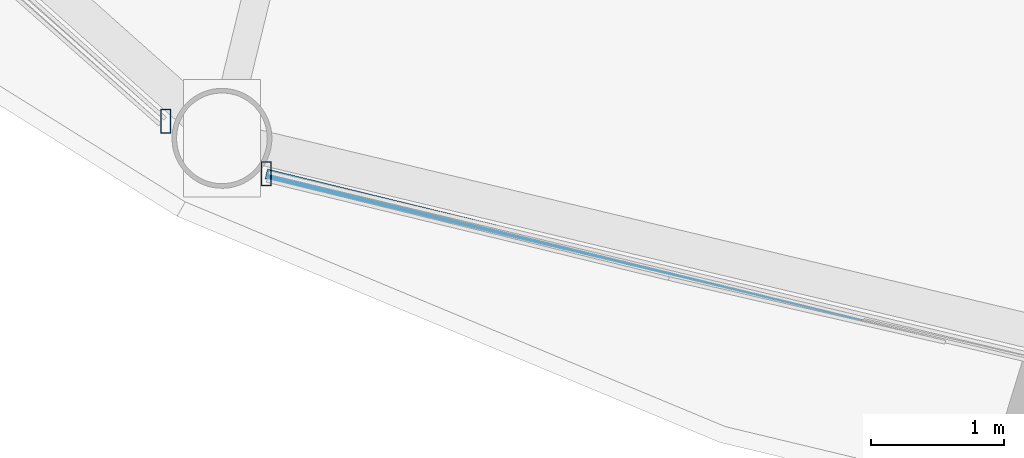
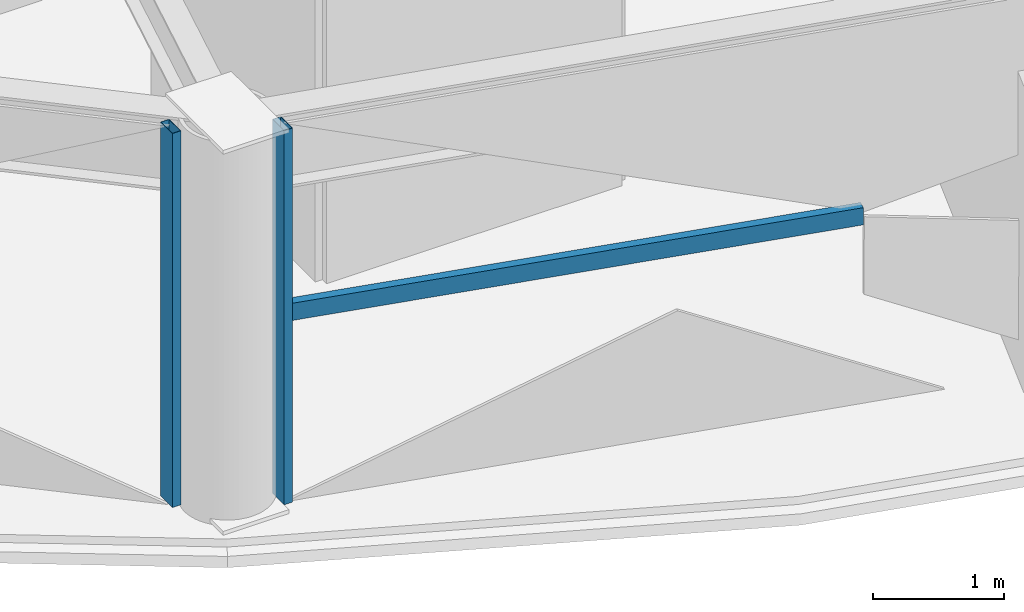
# One storey, part 2 of 30: 3 members, 2 elements without a shape of their own.
"""IFC4 building model written with IfcOpenShell, lengths in metres."""

from ifc_helpers import new_model, si_unit, direction, frame, origin, origin_2d, place, context, subcontext, project, spatial, hollow_rectangle, extrude, material, layer, layer_set, material_profile, profile_set, type_object, element, aggregate, save


model = new_model("IFC4")

# Units and contexts
model_context = context("Model", 3, precision=1e-05, world=origin(), true_north=direction((0.0, 1.0)))
body_context = subcontext(model_context, "Body", "Model", "MODEL_VIEW")
ifc_project = project(units=[si_unit("LENGTHUNIT", "METRE"), si_unit("AREAUNIT", "SQUARE_METRE"), si_unit("VOLUMEUNIT", "CUBIC_METRE"), si_unit("PLANEANGLEUNIT", "RADIAN"), si_unit("MASSUNIT", "GRAM", prefix="KILO")], contexts=[model_context])

# Site, building, storey
site_placement = place(None, origin())
site = spatial("IfcSite", under=ifc_project, at=site_placement, CompositionType="ELEMENT")
building_placement = place(site_placement, origin())
building = spatial("IfcBuilding", under=site, at=building_placement, Name="Vantalir Tower", CompositionType="ELEMENT")
storey_placement = place(building_placement, frame((0.0, 0.0, 130.949951171875)))
storey = spatial("IfcBuildingStorey", under=building, at=storey_placement, Name="L32", CompositionType="ELEMENT", Elevation=130.949951171875)

# Curtain wall, member
ifc_material_1 = material(Name="Champagne-silver PVDF aluminium and double-silver Low-E glass", Category="aluminium")
ifc_layer = layer(ifc_material_1, 0.199951171875)
ifc_layer_set = layer_set([ifc_layer], Name="Champagne-silver PVDF aluminium and double-silver Low-E glass")
curtain_wall_type = type_object("IfcCurtainWallType", Name="CW-DIAMOND-Z2", PredefinedType="USERDEFINED", material=ifc_layer_set)
curtain_wall_1_placement = place(storey_placement, origin())
curtain_wall_1 = element("IfcCurtainWall", 1, at=curtain_wall_1_placement, inside=storey, type_object=curtain_wall_type, Name="L32 Quilted Pyramid-Diamond Curtain Wall S08", ObjectType="UNITISED CURTAIN WALL", PredefinedType="USERDEFINED")
ifc_material_2 = material(Name="Champagne-silver PVDF aluminium 6063-T6", Category="aluminium")
ifc_material_profile_1 = material_profile(ifc_material_2, hollow_rectangle(XDim=0.074951171875, YDim=0.179931640625, WallThickness=0.00390625, at=origin_2d()), Name="Champagne-silver PVDF aluminium 6063-T6")
ifc_profile_set_1 = profile_set([ifc_material_profile_1], Name="Champagne-silver PVDF aluminium 6063-T6")
member_type_1 = type_object("IfcMemberType", Name="CWM-180x75", PredefinedType="MULLION", material=ifc_profile_set_1)
member_1_placement = place(storey_placement, frame((18.530029296875, 5.777099609375, 0.045166015625), z_axis=(0.0, 0.0, 1.0), x_axis=(1.0, 0.0, 0.0)))
member_1 = element("IfcMember", 2, at=member_1_placement, type_object=member_type_1, Name="CW-L32-S08 Mullion 2", PredefinedType="MULLION", context=body_context, shape_type="SweptSolid", body=[
    extrude(hollow_rectangle(XDim=0.074951171875, YDim=0.179931640625, WallThickness=0.00390625, at=origin_2d()), origin(), (0.0, 0.0, 1.0), 3.47998046875),
])
aggregate(curtain_wall_1, [member_1])

# Curtain wall, members
curtain_wall_2_placement = place(storey_placement, origin())
curtain_wall_2 = element("IfcCurtainWall", 3, at=curtain_wall_2_placement, inside=storey, type_object=curtain_wall_type, Name="L32 Quilted Pyramid-Diamond Curtain Wall S09", ObjectType="UNITISED CURTAIN WALL", PredefinedType="USERDEFINED")
member_2_placement = place(storey_placement, frame((19.285888671875, 5.382080078125, 0.045166015625), z_axis=(0.0, 0.0, 1.0), x_axis=(1.0, 0.0, 0.0)))
member_2 = element("IfcMember", 4, at=member_2_placement, type_object=member_type_1, Name="CW-L32-S09 Mullion 1", PredefinedType="MULLION", context=body_context, shape_type="SweptSolid", body=[
    extrude(hollow_rectangle(XDim=0.074951171875, YDim=0.179931640625, WallThickness=0.00390625, at=origin_2d()), origin(), (0.0, 0.0, 1.0), 3.47998046875),
])
ifc_material_profile_2 = material_profile(ifc_material_2, hollow_rectangle(XDim=0.074951171875, YDim=0.159912109375, WallThickness=0.00390625, at=origin_2d()), Name="Champagne-silver PVDF aluminium 6063-T6")
ifc_profile_set_2 = profile_set([ifc_material_profile_2], Name="Champagne-silver PVDF aluminium 6063-T6")
member_type_2 = type_object("IfcMemberType", Name="CWT-160x75", PredefinedType="USERDEFINED", material=ifc_profile_set_2)
member_3_placement = place(storey_placement, frame((19.285888671875, 5.382080078125, 1.78515625), z_axis=(0.971432990168, -0.237314023213, 0.0), x_axis=(0.237314023213, 0.971432990168, 0.0)))
member_3 = element("IfcMember", 5, at=member_3_placement, type_object=member_type_2, Name="CW-L32-S09 Pyramid Fold Ridge Transom", ObjectType="TRANSOM", PredefinedType="USERDEFINED", context=body_context, shape_type="SweptSolid", body=[
    extrude(hollow_rectangle(XDim=0.074951171875, YDim=0.159912109375, WallThickness=0.00390625, at=origin_2d()), origin(), (0.0, 0.0, 1.0), 4.6015625),
])
aggregate(curtain_wall_2, [member_2, member_3])

save(model, "model.ifc")
